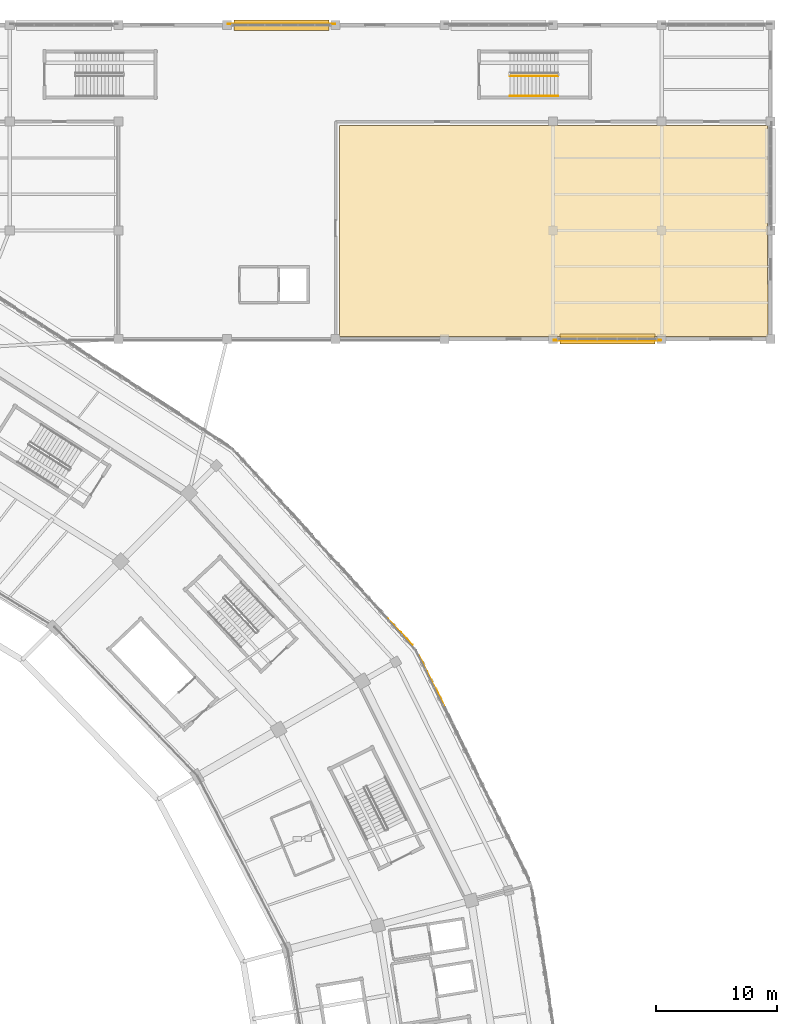
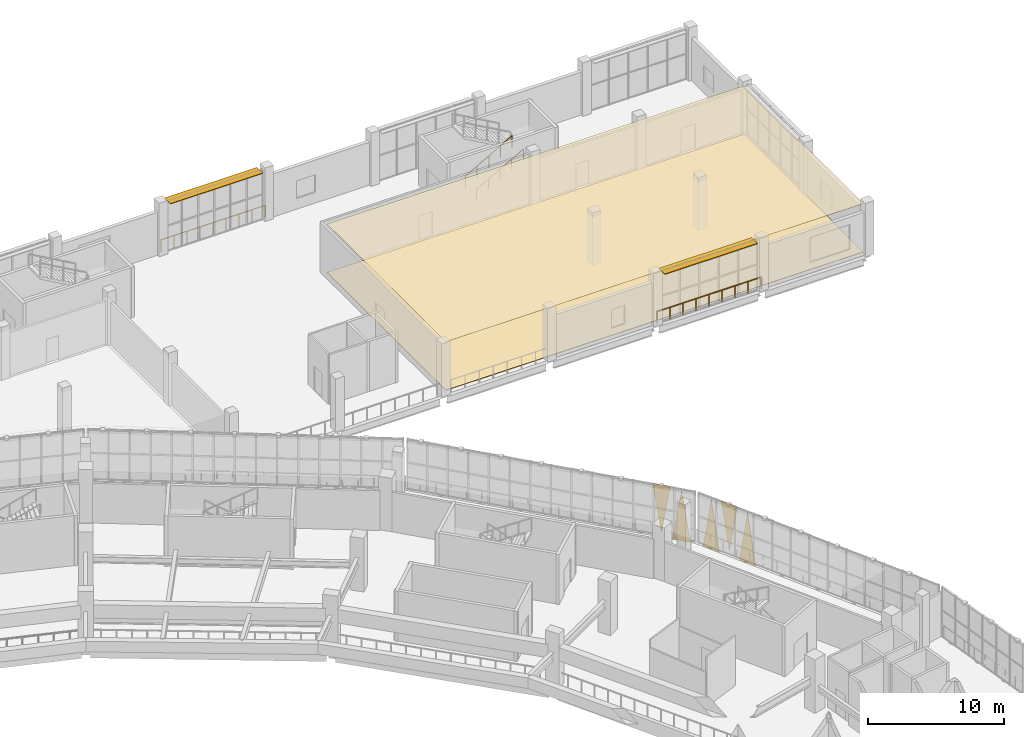
# One storey, part 177 of 179: 7 coverings, 4 railings, 2 shading devices.
"""IFC4 building model written with IfcOpenShell, lengths in metres."""

from ifc_helpers import new_model, si_unit, direction, frame, origin, origin_2d, place, context, subcontext, project, spatial, polyline, rectangle, circle, outline, extrude, material, layer, layer_set, type_object, element, save


model = new_model("IFC4")

# Units and contexts
model_context = context("Model", 3, precision=1e-05, world=origin(), true_north=direction((0.0, 1.0)))
body_context = subcontext(model_context, "Body", "Model", "MODEL_VIEW")
ifc_project = project(units=[si_unit("LENGTHUNIT", "METRE"), si_unit("AREAUNIT", "SQUARE_METRE"), si_unit("VOLUMEUNIT", "CUBIC_METRE"), si_unit("PLANEANGLEUNIT", "RADIAN"), si_unit("MASSUNIT", "GRAM", prefix="KILO")], contexts=[model_context])

# Site, building, storey
site_placement = place(None, origin())
site = spatial("IfcSite", under=ifc_project, at=site_placement, CompositionType="ELEMENT")
building_placement = place(site_placement, origin())
building = spatial("IfcBuilding", under=site, at=building_placement, Name="Zevraka Park Crest Stadium", CompositionType="ELEMENT")
storey_placement = place(building_placement, frame((0.0, 0.0, 10.199951171875)))
storey = spatial("IfcBuildingStorey", under=building, at=storey_placement, Name="L02", CompositionType="ELEMENT", Elevation=10.199951171875)

# Coverings
ifc_material_1 = material(Name="Architectural golden-bronze perforated aluminium", Category="aluminium")
ifc_layer_1 = layer(ifc_material_1, 0.034912109375)
ifc_layer_set_1 = layer_set([ifc_layer_1], Name="Architectural golden-bronze perforated aluminium")
covering_type_1 = type_object("IfcCoveringType", Name="CLD01", PredefinedType="CLADDING", material=ifc_layer_set_1)
covering_1_placement = place(storey_placement, frame((196.97802734375, 127.6240234375, -0.239990234375), z_axis=(-0.897737356227, -0.440531087049, 2.4031946e-05), x_axis=(-0.440531087176, 0.897737356486, 0.0)))
element("IfcCovering", 1, at=covering_1_placement, inside=storey, type_object=covering_type_1, Name="Triangular Golden-Bronze Perforated Cladding L02-01-11", PredefinedType="CLADDING", context=body_context, shape_type="SweptSolid", body=[
    extrude(outline(polyline([(0.0, 0.0), (1.4348137884574985, -1.6940658945086007e-21), (0.7173531184612717, -4.560058595066796), (0.0, 0.0)])), origin(), (0.0, 0.0, -1.0), 0.034912109375),
])
covering_2_placement = place(storey_placement, frame((195.64208984375, 130.343017578125, 4.47998046875), z_axis=(0.897535423701, 0.44094234614, 0.000102875285), x_axis=(0.440942348473, -0.89753542845, 0.0)))
element("IfcCovering", 2, at=covering_2_placement, inside=storey, type_object=covering_type_1, Name="Triangular Golden-Bronze Perforated Cladding L02-01-12", PredefinedType="CLADDING", context=body_context, shape_type="SweptSolid", body=[
    extrude(outline(polyline([(0.0, 0.0), (1.4351365936876894, 0.0), (0.717783600724935, 4.260009788167531), (0.0, 0.0)])), origin(), (0.0, 0.0, -1.0), 0.034912109375),
])
covering_3_placement = place(storey_placement, frame((195.572021484375, 130.487060546875, -0.239990234375), z_axis=(0.897302423981, 0.441416274973, 0.000179183893), x_axis=(-0.441416282059, 0.897302438386, 0.0)))
element("IfcCovering", 3, at=covering_3_placement, inside=storey, type_object=covering_type_1, Name="Triangular Golden-Bronze Perforated Cladding L02-01-13", PredefinedType="CLADDING", context=body_context, shape_type="SweptSolid", body=[
    extrude(outline(polyline([(0.0, 0.0), (1.4341488213161262, 0.0), (0.7167961598302272, 4.560058666954599), (0.0, 0.0)])), origin(), (0.0, 0.0, -1.0), 0.034912109375),
])
covering_4_placement = place(storey_placement, frame((194.347900390625, 132.64208984375, -0.239990234375), z_axis=(-0.739533407377, -0.673119854594, 2.6908331e-05), x_axis=(-0.673119854838, 0.739533407645, 0.0)))
element("IfcCovering", 4, at=covering_4_placement, inside=storey, type_object=covering_type_1, Name="Triangular Golden-Bronze Perforated Cladding L02-02-1", PredefinedType="CLADDING", context=body_context, shape_type="SweptSolid", body=[
    extrude(outline(polyline([(0.0, 0.0), (1.3858770045481608, -3.3881317890172014e-21), (0.6921665622222286, -4.560058595400875), (0.0, 0.0)])), origin(), (0.0, 0.0, -1.0), 0.034912109375),
])
covering_5_placement = place(storey_placement, frame((192.3740234375, 134.81005859375, 4.47998046875), z_axis=(0.739174910845, 0.673513505333, 9.6497436e-05), x_axis=(0.673513508469, -0.739174914286, 0.0)))
element("IfcCovering", 5, at=covering_5_placement, inside=storey, type_object=covering_type_1, Name="Triangular Golden-Bronze Perforated Cladding L02-02-2", PredefinedType="CLADDING", context=body_context, shape_type="SweptSolid", body=[
    extrude(outline(polyline([(0.0, 0.0), (1.3868794307835661, 1.3552527156068805e-20), (0.6929885588278876, 4.260009785459085), (0.0, 0.0)])), origin(), (0.0, 0.0, -1.0), 0.034912109375),
])
ifc_material_2 = material(Name="Perforated acoustic mineral-fibre suspended ceiling", Category="other")
ifc_layer_2 = layer(ifc_material_2, 0.02490234375)
ifc_layer_set_2 = layer_set([ifc_layer_2], Name="Perforated acoustic mineral-fibre suspended ceiling")
covering_type_2 = type_object("IfcCoveringType", Name="CLG01", PredefinedType="CEILING", material=ifc_layer_set_2)
covering_6_placement = place(storey_placement, frame((0.0, 0.0, 4.360107421875)))
element("IfcCovering", 6, at=covering_6_placement, inside=storey, type_object=covering_type_2, Name="Acoustic Ceiling Supporter Members Pavilion Lounge L02-046", PredefinedType="CEILING", context=body_context, shape_type="SweptSolid", body=[
    extrude(outline(polyline([(223.794921875, 158.205078125), (188.321044921875, 158.2099609375), (188.304931640625, 175.678955078125), (223.77392578125, 175.695068359375), (223.794921875, 158.205078125)])), origin(), (0.0, 0.0, 1.0), 0.02490234375),
])
ifc_material_3 = material(Name="Honed terrazzo and slip-resistant sports flooring", Category="other")
ifc_layer_3 = layer(ifc_material_3, 0.0400390625)
ifc_layer_set_3 = layer_set([ifc_layer_3], Name="Honed terrazzo and slip-resistant sports flooring")
covering_type_3 = type_object("IfcCoveringType", Name="FLR01", PredefinedType="FLOORING", material=ifc_layer_set_3)
covering_7_placement = place(storey_placement, origin())
element("IfcCovering", 7, at=covering_7_placement, inside=storey, type_object=covering_type_3, Name="Terrazzo Floor Finish Supporter Members Pavilion Lounge L02-046", PredefinedType="FLOORING", context=body_context, shape_type="SweptSolid", body=[
    extrude(outline(polyline([(223.794921875, 158.205078125), (188.321044921875, 158.2099609375), (188.304931640625, 175.678955078125), (223.77392578125, 175.695068359375), (223.794921875, 158.205078125)])), origin(), (0.0, 0.0, 1.0), 0.0400390625),
])

# Railings
ifc_material_4 = material(Name="Galvanised and bronze-finished steel balustrade", Category="steel")
railing_type_1 = type_object("IfcRailingType", Name="GR01", PredefinedType="GUARDRAIL", material=ifc_material_4)
railing_1_placement = place(storey_placement, frame((179.06591796875, 184.10498046875, 0.0)))
element("IfcRailing", 8, at=railing_1_placement, inside=storey, type_object=railing_type_1, Name="Deck Edge Protection Guardrail GR01 L02-12", PredefinedType="GUARDRAIL", context=body_context, shape_type="SweptSolid", body=[
    extrude(circle(Radius=0.02392578125, at=origin_2d()), frame((0.0, 0.0, 1.076171875), z_axis=(1.0, 0.0, 0.0), x_axis=(0.0, 1.0, 0.0)), (0.0, 0.0, 1.0), 8.8681640625),
    extrude(circle(Radius=0.02099609375, at=origin_2d()), origin(), (0.0, 0.0, 1.0), 1.052001953125),
    extrude(circle(Radius=0.02099609375, at=origin_2d()), frame((1.1083984375, 0.0, 0.0)), (0.0, 0.0, 1.0), 1.052001953125),
    extrude(circle(Radius=0.02099609375, at=origin_2d()), frame((2.217041015625, 0.0, 0.0)), (0.0, 0.0, 1.0), 1.052001953125),
    extrude(circle(Radius=0.02099609375, at=origin_2d()), frame((3.32568359375, 0.0, 0.0)), (0.0, 0.0, 1.0), 1.052001953125),
    extrude(circle(Radius=0.02099609375, at=origin_2d()), frame((4.43408203125, 0.0, 0.0)), (0.0, 0.0, 1.0), 1.052001953125),
    extrude(circle(Radius=0.02099609375, at=origin_2d()), frame((5.54248046875, 0.0, 0.0)), (0.0, 0.0, 1.0), 1.052001953125),
    extrude(circle(Radius=0.02099609375, at=origin_2d()), frame((6.651123046875, 0.0, 0.0)), (0.0, 0.0, 1.0), 1.052001953125),
    extrude(circle(Radius=0.02099609375, at=origin_2d()), frame((7.759765625, 0.0, 0.0)), (0.0, 0.0, 1.0), 1.052001953125),
    extrude(circle(Radius=0.02099609375, at=origin_2d()), frame((8.8681640625, 0.0, 0.0)), (0.0, 0.0, 1.0), 1.052001953125),
])
railing_2_placement = place(storey_placement, frame((214.93408203125, 157.89501953125, 0.0)))
element("IfcRailing", 9, at=railing_2_placement, inside=storey, type_object=railing_type_1, Name="Deck Edge Protection Guardrail GR01 L02-16", PredefinedType="GUARDRAIL", context=body_context, shape_type="SweptSolid", body=[
    extrude(circle(Radius=0.02392578125, at=origin_2d()), frame((0.0, 0.0, 1.076171875), z_axis=(-1.0, 0.0, 0.0), x_axis=(0.0, -1.0, 0.0)), (0.0, 0.0, 1.0), 8.8681640625),
    extrude(circle(Radius=0.02099609375, at=origin_2d()), origin(), (0.0, 0.0, 1.0), 1.052001953125),
    extrude(circle(Radius=0.02099609375, at=origin_2d()), frame((-1.1083984375, 0.0, 0.0)), (0.0, 0.0, 1.0), 1.052001953125),
    extrude(circle(Radius=0.02099609375, at=origin_2d()), frame((-2.217041015625, 0.0, 0.0)), (0.0, 0.0, 1.0), 1.052001953125),
    extrude(circle(Radius=0.02099609375, at=origin_2d()), frame((-3.32568359375, 0.0, 0.0)), (0.0, 0.0, 1.0), 1.052001953125),
    extrude(circle(Radius=0.02099609375, at=origin_2d()), frame((-4.43408203125, 0.0, 0.0)), (0.0, 0.0, 1.0), 1.052001953125),
    extrude(circle(Radius=0.02099609375, at=origin_2d()), frame((-5.54248046875, 0.0, 0.0)), (0.0, 0.0, 1.0), 1.052001953125),
    extrude(circle(Radius=0.02099609375, at=origin_2d()), frame((-6.651123046875, 0.0, 0.0)), (0.0, 0.0, 1.0), 1.052001953125),
    extrude(circle(Radius=0.02099609375, at=origin_2d()), frame((-7.759765625, 0.0, 0.0)), (0.0, 0.0, 1.0), 1.052001953125),
    extrude(circle(Radius=0.02099609375, at=origin_2d()), frame((-8.8681640625, 0.0, 0.0)), (0.0, 0.0, 1.0), 1.052001953125),
])
ifc_material_5 = material(Name="Powder-coated tubular steel stairwell guard", Category="steel")
railing_type_2 = type_object("IfcRailingType", Name="GR03", PredefinedType="GUARDRAIL", material=ifc_material_5)
railing_3_placement = place(storey_placement, frame((202.449951171875, 179.7900390625, 0.17138671875)))
element("IfcRailing", 10, at=railing_3_placement, inside=storey, type_object=railing_type_2, Name="L02 ST45 stair guard 1", PredefinedType="GUARDRAIL", context=body_context, shape_type="SweptSolid", body=[
    extrude(circle(Radius=0.02392578125, at=origin_2d()), frame((0.0, 0.0, 1.076171875), z_axis=(0.871726007364, 0.0, 0.489993640861), x_axis=(0.0, 1.0, 0.0)), (0.0, 0.0, 1.0), 4.548583984375),
    extrude(circle(Radius=0.02099609375, at=origin_2d()), origin(), (0.0, 0.0, 1.0), 1.052001953125),
    extrude(circle(Radius=0.02099609375, at=origin_2d()), frame((0.9912109375, 0.0, 0.55712890625)), (0.0, 0.0, 1.0), 1.052001953125),
    extrude(circle(Radius=0.02099609375, at=origin_2d()), frame((1.982421875, 0.0, 1.1142578125)), (0.0, 0.0, 1.0), 1.052001953125),
    extrude(circle(Radius=0.02099609375, at=origin_2d()), frame((2.973876953125, 0.0, 1.671630859375)), (0.0, 0.0, 1.0), 1.052001953125),
    extrude(circle(Radius=0.02099609375, at=origin_2d()), frame((3.965087890625, 0.0, 2.228759765625)), (0.0, 0.0, 1.0), 1.052001953125),
])
ifc_material_6 = material(Name="Brushed stainless steel continuous handrail", Category="steel")
railing_type_3 = type_object("IfcRailingType", Name="HR01", PredefinedType="HANDRAIL", material=ifc_material_6)
railing_4_placement = place(storey_placement, frame((202.449951171875, 178.139892578125, 0.17138671875)))
element("IfcRailing", 11, at=railing_4_placement, inside=storey, type_object=railing_type_3, Name="L02 ST45 stair handrail 1", PredefinedType="HANDRAIL", context=body_context, shape_type="SweptSolid", body=[
    extrude(circle(Radius=0.02392578125, at=origin_2d()), frame((0.0, 0.0, 0.8759765625), z_axis=(0.871726007364, 0.0, 0.489993640861), x_axis=(0.0, 1.0, 0.0)), (0.0, 0.0, 1.0), 4.548583984375),
    extrude(circle(Radius=0.02099609375, at=origin_2d()), origin(), (0.0, 0.0, 1.0), 0.851806640625),
    extrude(circle(Radius=0.02099609375, at=origin_2d()), frame((0.9912109375, 0.0, 0.55712890625)), (0.0, 0.0, 1.0), 0.851806640625),
    extrude(circle(Radius=0.02099609375, at=origin_2d()), frame((1.982421875, 0.0, 1.1142578125)), (0.0, 0.0, 1.0), 0.851806640625),
    extrude(circle(Radius=0.02099609375, at=origin_2d()), frame((2.973876953125, 0.0, 1.671630859375)), (0.0, 0.0, 1.0), 0.851806640625),
    extrude(circle(Radius=0.02099609375, at=origin_2d()), frame((3.965087890625, 0.0, 2.228759765625)), (0.0, 0.0, 1.0), 0.851806640625),
])

# Shading devices
ifc_material_7 = material(Name="Architectural golden-bronze anodised bronze", Category="aluminium")
ifc_layer_4 = layer(ifc_material_7, 0.06005859375)
ifc_layer_set_4 = layer_set([ifc_layer_4], Name="Architectural golden-bronze anodised bronze")
shading_device_type = type_object("IfcShadingDeviceType", Name="SHD01", PredefinedType="USERDEFINED", material=ifc_layer_set_4)
for number, where, z_axis, x_axis, name in (
    (12, (183.5, 184.0, 4.419921875), (0.0, 0.0, 1.0), (1.0, 0.0, 0.0), "Wing Bronze Solar Screen SHD01 L02-NGATE-N-4"),
    (13, (210.5, 158.0, 4.419921875), (0.0, 0.0, 1.0), (-1.0, 0.0, 0.0), "Wing Bronze Solar Screen SHD01 L02-NGATE-S-2"),
):
    element("IfcShadingDevice", number, at=place(storey_placement, frame(where, z_axis=z_axis, x_axis=x_axis)), inside=storey, type_object=shading_device_type, Name=name, ObjectType="SOLAR SCREEN", PredefinedType="USERDEFINED", context=body_context, shape_type="SweptSolid", body=[
        extrude(rectangle(XDim=7.8701171875, YDim=0.85009765625, at=origin_2d()), origin(), (0.0, 0.0, 1.0), 0.06005859375),
    ])

save(model, "model.ifc")
